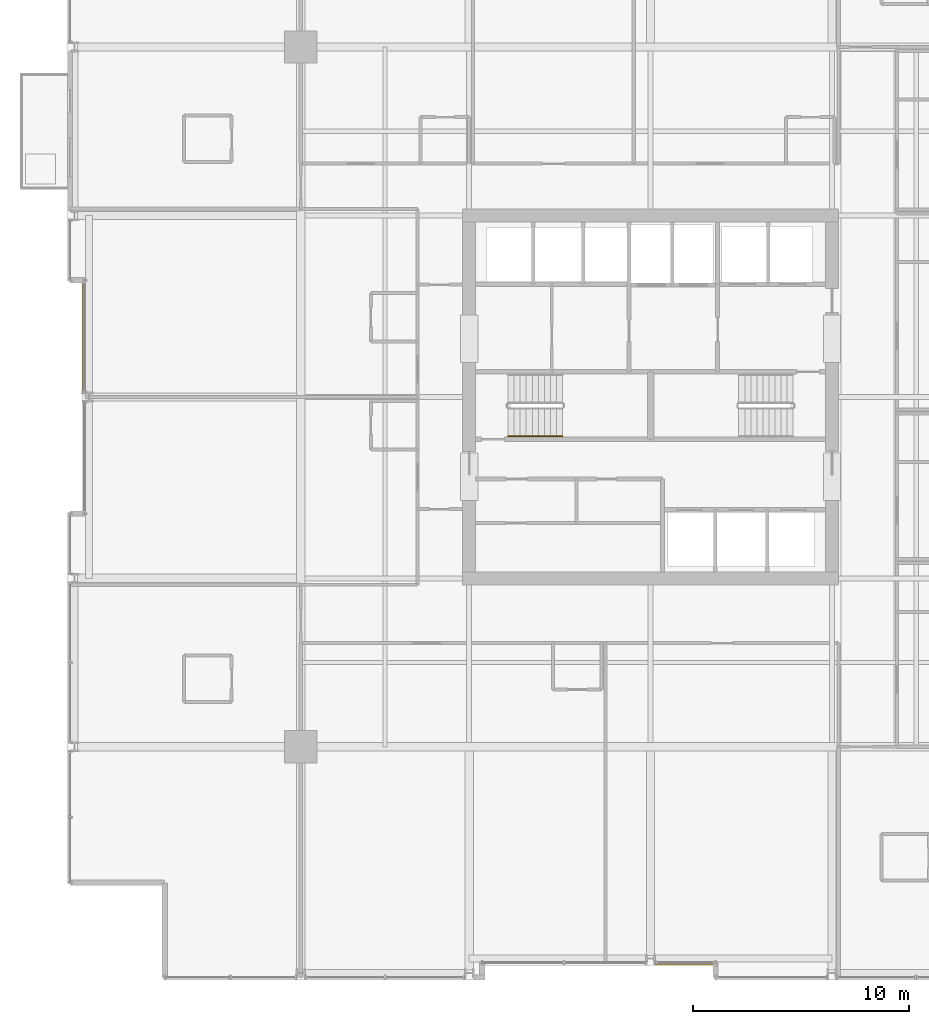
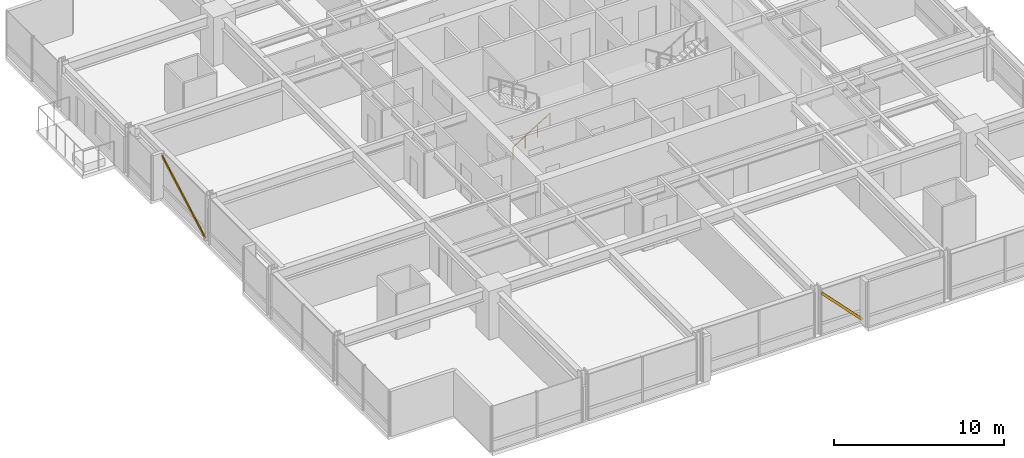
# One storey, part 32 of 34: 2 shading devices, 1 railing.
"""IFC4 building model written with IfcOpenShell, lengths in metres."""

from ifc_helpers import new_model, si_unit, direction, frame, origin, origin_2d, place, context, subcontext, project, spatial, hollow_rectangle, circle, extrude, material, material_profile, profile_set, type_object, element, save


model = new_model("IFC4")

# Units and contexts
model_context = context("Model", 3, precision=1e-05, world=origin(), true_north=direction((0.0, 1.0)))
body_context = subcontext(model_context, "Body", "Model", "MODEL_VIEW")
ifc_project = project(units=[si_unit("LENGTHUNIT", "METRE"), si_unit("AREAUNIT", "SQUARE_METRE"), si_unit("VOLUMEUNIT", "CUBIC_METRE"), si_unit("PLANEANGLEUNIT", "RADIAN"), si_unit("MASSUNIT", "GRAM", prefix="KILO")], contexts=[model_context])

# Site, building, storey
site_placement = place(None, origin())
site = spatial("IfcSite", under=ifc_project, at=site_placement, CompositionType="ELEMENT")
building_placement = place(site_placement, origin())
building = spatial("IfcBuilding", under=site, at=building_placement, Name="Drelvath Grand Hotel", CompositionType="ELEMENT")
storey_placement = place(building_placement, frame((0.0, 0.0, 102.300048828125)))
storey = spatial("IfcBuildingStorey", under=building, at=storey_placement, Name="L25", CompositionType="ELEMENT", Elevation=102.300048828125)

# Railing
ifc_material_1 = material(Name="Painted Steel S275", Category="steel")
railing_type = type_object("IfcRailingType", Name="Core Stair Wall Handrail 900", PredefinedType="HANDRAIL", material=ifc_material_1)
railing_placement = place(storey_placement, frame((-6.60009765625, 25.169921875, 0.175048828125)))
element("IfcRailing", 1, at=railing_placement, inside=storey, type_object=railing_type, Name="L25 ST-1 stair handrail 1", PredefinedType="HANDRAIL", context=body_context, shape_type="SweptSolid", body=[
    extrude(circle(Radius=0.02392578125, at=origin_2d()), frame((0.0, 0.0, 0.8759765625), z_axis=(0.848007534815, 0.0, 0.529984170421), x_axis=(0.0, 1.0, 0.0)), (0.0, 0.0, 1.0), 2.9716796875),
    extrude(circle(Radius=0.02099609375, at=origin_2d()), origin(), (0.0, 0.0, 1.0), 0.851806640625),
    extrude(circle(Radius=0.02099609375, at=origin_2d()), frame((0.840087890625, 0.0, 0.52490234375)), (0.0, 0.0, 1.0), 0.851806640625),
    extrude(circle(Radius=0.02099609375, at=origin_2d()), frame((1.679931640625, 0.0, 1.050048828125)), (0.0, 0.0, 1.0), 0.851806640625),
    extrude(circle(Radius=0.02099609375, at=origin_2d()), frame((2.52001953125, 0.0, 1.574951171875)), (0.0, 0.0, 1.0), 0.851806640625),
])

# Shading devices
ifc_material_2 = material(Name="Champagne Bronze Anodised Aluminium", Category="aluminium")
ifc_material_profile = material_profile(ifc_material_2, hollow_rectangle(XDim=0.06494140625, YDim=0.159912109375, WallThickness=0.00390625, at=origin_2d()), Name="HSS160X65X4")
ifc_profile_set = profile_set([ifc_material_profile], Name="Champagne Bronze Anodised Aluminium")
shading_device_type = type_object("IfcShadingDeviceType", Name="Diagonal Solar Fin Champagne Anodised HSS160X65X4", PredefinedType="USERDEFINED", material=ifc_profile_set)
shading_device_1_placement = place(storey_placement, frame((-26.280029296875, 27.219482421875, 0.179931640625), z_axis=(0.0, 0.8740056863, 0.4859156926), x_axis=(-1.0, 0.0, 0.0)))
element("IfcShadingDevice", 2, at=shading_device_1_placement, inside=storey, type_object=shading_device_type, Name="L25 Diagonal Anodised Fin CW03-L25-WM2", ObjectType="FIN", PredefinedType="USERDEFINED", context=body_context, shape_type="SweptSolid", body=[
    extrude(hollow_rectangle(XDim=0.06494140625, YDim=0.159912109375, WallThickness=0.00390625, at=origin_2d()), origin(), (0.0, 0.0, 1.0), 5.92724609375),
])
shading_device_2_placement = place(storey_placement, frame((3.0, 0.719970703125, 0.179931640625), z_axis=(-0.694556420652, 0.0, 0.719438238163), x_axis=(0.0, -1.0, 0.0)))
element("IfcShadingDevice", 3, at=shading_device_2_placement, inside=storey, type_object=shading_device_type, Name="L25 Diagonal Anodised Fin CW03-L25-SM2", ObjectType="FIN", PredefinedType="USERDEFINED", context=body_context, shape_type="SweptSolid", body=[
    extrude(hollow_rectangle(XDim=0.06494140625, YDim=0.159912109375, WallThickness=0.00390625, at=origin_2d()), origin(), (0.0, 0.0, 1.0), 4.00341796875),
])

save(model, "model.ifc")
